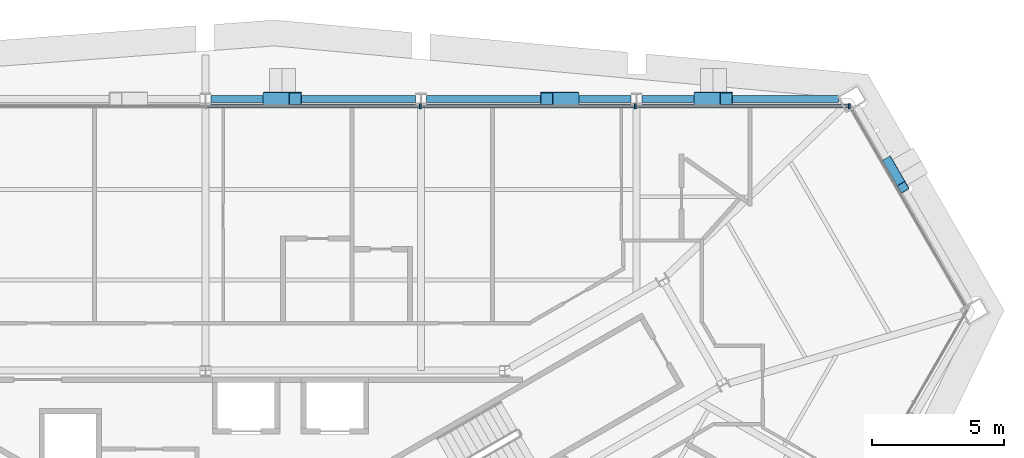
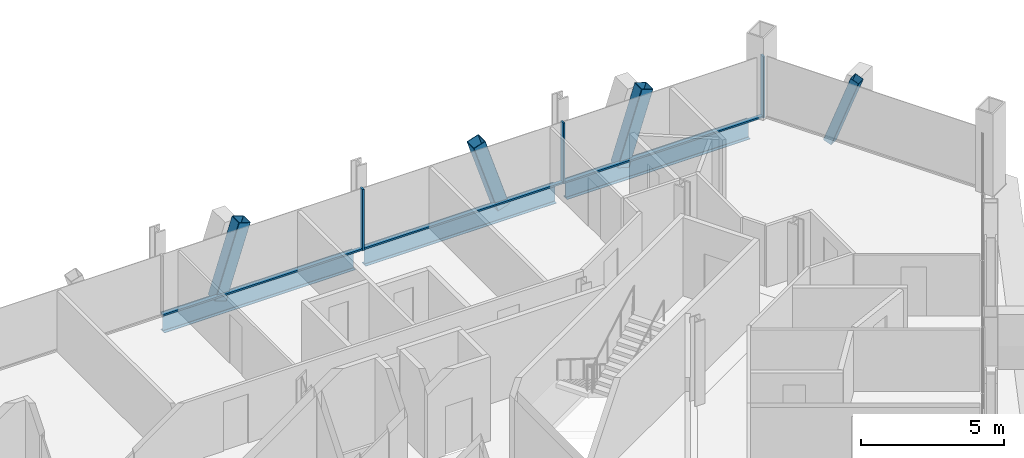
# One storey, part 11 of 19: 10 members, 3 beams, 1 element without a shape of its own.
"""IFC4 building model written with IfcOpenShell, lengths in metres."""

import ifcopenshell
import ifcopenshell.guid

model = None  # the IFC model being written
_history = None  # IfcOwnerHistory: only IFC2X3 demands one
_inside = {}  # id of a spatial element -> (the spatial element, [elements in it])
_under = {}  # id of a project, library or spatial element -> (it, [spatial elements below it])
_declared = {}  # id of a project -> (the project, [libraries it declares])
_typed = {}  # id of a type object -> (the type object, [elements of that type])
_made_of = {}  # id of a material, layer set ... -> (it, [elements and type objects made of it])


def new_model(schema):
    """Start an empty IFC model of exactly this schema.

    Asked for "IFC4X3", IfcOpenShell would pick the latest addendum, in which some entities
    have other attributes; the version numbers below select the first issue.
    IFC2X3 requires an IfcOwnerHistory on every rooted entity: one is made here for all.
    """
    global model, _history
    if schema == "IFC4X3":
        model = ifcopenshell.file(schema_version=(4, 3, 0, 0))
    else:
        model = ifcopenshell.file(schema=schema)
    _inside.clear()
    _under.clear()
    _declared.clear()
    _typed.clear()
    _made_of.clear()
    _history = None
    if model.schema == "IFC2X3":
        org = make("IfcOrganization", Name="unknown")
        user = make(
            "IfcPersonAndOrganization",
            ThePerson=make("IfcPerson", FamilyName="unknown"),
            TheOrganization=org,
        )
        app = make(
            "IfcApplication",
            ApplicationDeveloper=org,
            Version="unknown",
            ApplicationFullName="unknown",
            ApplicationIdentifier="unknown",
        )
        _history = make(
            "IfcOwnerHistory",
            OwningUser=user,
            OwningApplication=app,
            ChangeAction="ADDED",
            CreationDate=0,
        )
    return model


def make(cls, **values):
    """One entity of the class cls with the attributes given. An attribute that is None is left unset."""
    return model.create_entity(
        cls, **{name: value for name, value in values.items() if value is not None}
    )


def rooted(cls, **values):
    """An entity with a GlobalId (a new one), such as an element, a storey or a relation."""
    return make(cls, GlobalId=ifcopenshell.guid.new(), OwnerHistory=_history, **values)


def si_unit(unit_type, name, prefix=None):
    """IfcSIUnit, for example si_unit("LENGTHUNIT", "METRE", prefix="MILLI")."""
    return make("IfcSIUnit", UnitType=unit_type, Prefix=prefix, Name=name)


def assignment(units):
    """IfcUnitAssignment: the units of a project."""
    return None if units is None else make("IfcUnitAssignment", Units=units)


def point(xyz):
    """IfcCartesianPoint."""
    return None if xyz is None else make("IfcCartesianPoint", Coordinates=xyz)


def direction(xyz):
    """IfcDirection."""
    return None if xyz is None else make("IfcDirection", DirectionRatios=xyz)


def frame(location, z_axis=None, x_axis=None):
    """IfcAxis2Placement3D, a coordinate frame: its origin and axes. An axis left out is left unset."""
    return make(
        "IfcAxis2Placement3D",
        Location=point(location),
        Axis=direction(z_axis),
        RefDirection=direction(x_axis),
    )


def frame_2d(location, x_axis=None):
    """IfcAxis2Placement2D, a coordinate frame in the plane: its origin and x axis."""
    return make(
        "IfcAxis2Placement2D", Location=point(location), RefDirection=direction(x_axis)
    )


def origin():
    """The frame at (0, 0, 0) with its axes left unset."""
    return frame((0.0, 0.0, 0.0))


def origin_2d():
    """The frame at (0, 0) in the plane with its x axis left unset."""
    return frame_2d((0.0, 0.0))


def place(relative_to, where):
    """IfcLocalPlacement: puts the frame where relative to a parent placement (None: the world)."""
    return make(
        "IfcLocalPlacement", PlacementRelTo=relative_to, RelativePlacement=where
    )


def context(
    kind, dimensions, precision=None, world=None, true_north=None, identifier=None
):
    """IfcGeometricRepresentationContext, for example the 3D "Model" context."""
    return make(
        "IfcGeometricRepresentationContext",
        ContextIdentifier=identifier,
        ContextType=kind,
        CoordinateSpaceDimension=dimensions,
        Precision=precision,
        WorldCoordinateSystem=world,
        TrueNorth=true_north,
    )


def subcontext(parent, identifier, kind, view, scale=None):
    """IfcGeometricRepresentationSubContext, for example "Body" below "Model"."""
    return make(
        "IfcGeometricRepresentationSubContext",
        ContextIdentifier=identifier,
        ContextType=kind,
        ParentContext=parent,
        TargetScale=scale,
        TargetView=view,
    )


def project(units=None, contexts=None):
    """IfcProject with its units and contexts."""
    return rooted(
        "IfcProject",
        Name="project",
        RepresentationContexts=contexts,
        UnitsInContext=assignment(units),
    )


def spatial(cls, under=None, at=None, **own):
    """A site, building, storey or space (cls), placed at a placement, below another one or the project."""
    s = rooted(cls, ObjectPlacement=at, **own)
    if under is not None:
        _under.setdefault(under.id(), (under, []))[1].append(s)
    return s


def profile(cls, at=None, kind="AREA", **sizes):
    """A parametric profile (cls). Its sizes go by their IFC names, for example OverallWidth=200.0."""
    return make(cls, ProfileType=kind, Position=at, **sizes)


def rectangle(**sizes):
    """IfcRectangleProfileDef."""
    return profile("IfcRectangleProfileDef", **sizes)


def hollow_rectangle(**sizes):
    """IfcRectangleHollowProfileDef."""
    return profile("IfcRectangleHollowProfileDef", **sizes)


def i_section(**sizes):
    """IfcIShapeProfileDef."""
    return profile("IfcIShapeProfileDef", **sizes)


def extrude(swept, where, along, depth):
    """IfcExtrudedAreaSolid: the profile swept, set in the frame where, extruded along a direction by depth."""
    return make(
        "IfcExtrudedAreaSolid",
        SweptArea=swept,
        Position=where,
        ExtrudedDirection=direction(along),
        Depth=depth,
    )


def shape(context_of_items, identifier, shape_type, items):
    """IfcShapeRepresentation: the items that make up one representation, for example the "Body"."""
    return make(
        "IfcShapeRepresentation",
        ContextOfItems=context_of_items,
        RepresentationIdentifier=identifier,
        RepresentationType=shape_type,
        Items=items,
    )


def material(Name=None, Category=None):
    """IfcMaterial."""
    return make("IfcMaterial", Name=Name, Category=Category)


def material_profile(
    of_material, cross_section, Name=None, Category=None, Priority=None
):
    """IfcMaterialProfile: a cross section and its material."""
    return make(
        "IfcMaterialProfile",
        Name=Name,
        Material=of_material,
        Profile=cross_section,
        Priority=Priority,
        Category=Category,
    )


def profile_set(profiles, Name=None, composite=None):
    """IfcMaterialProfileSet."""
    return make(
        "IfcMaterialProfileSet",
        Name=Name,
        MaterialProfiles=profiles,
        CompositeProfile=composite,
    )


def made_of(thing, what):
    """Note that an element or type object is made of a material, layer set ...; save() writes the relation."""
    if what is not None:
        _made_of.setdefault(what.id(), (what, []))[1].append(thing)
    return thing


def type_object(cls, material=None, **own):
    """A type object (cls), such as IfcWallType, which elements share."""
    return made_of(rooted(cls, **own), material)


def element(
    cls,
    number,
    at=None,
    inside=None,
    cuts=None,
    type_object=None,
    material=None,
    context=None,
    identifier="Body",
    shape_type=None,
    held_by="IfcProductDefinitionShape",
    body=None,
    shapes=None,
    **own,
):
    """One element of the class cls, such as IfcWall. Its Tag is "e" and its number.

    at: its placement. inside: the storey or other place that contains it. cuts: it is an
    opening in that element (IfcRelVoidsElement). A single representation is given by context,
    identifier, shape_type and body (its items); several are given by shapes. held_by: the class
    of the entity that holds the representations. save() writes the other relations.
    """
    e = rooted(cls, Tag="e%d" % number, ObjectPlacement=at, **own)
    if body is not None:
        shapes = [shape(context, identifier, shape_type, body)]
    if shapes is not None:
        e.Representation = make(held_by, Representations=shapes)
    if inside is not None:
        _inside.setdefault(inside.id(), (inside, []))[1].append(e)
    if cuts is not None:
        rooted(
            "IfcRelVoidsElement", RelatingBuildingElement=cuts, RelatedOpeningElement=e
        )
    if type_object is not None:
        _typed.setdefault(type_object.id(), (type_object, []))[1].append(e)
    return made_of(e, material)


def aggregate(whole, parts):
    """IfcRelAggregates: a whole, such as a stair, and the parts it consists of."""
    return rooted("IfcRelAggregates", RelatingObject=whole, RelatedObjects=parts)


def save(model, path):
    """Write the relations noted so far, then the file.

    IfcRelAggregates (storeys below a building ...), IfcRelContainedInSpatialStructure (elements
    in a storey), IfcRelDefinesByType, IfcRelAssociatesMaterial and IfcRelDeclares: one each for
    every whole, place, type object, material and project.
    """
    for whole, parts in _under.values():
        aggregate(whole, parts)
    for where, things in _inside.values():
        rooted(
            "IfcRelContainedInSpatialStructure",
            RelatedElements=things,
            RelatingStructure=where,
        )
    for kind, things in _typed.values():
        rooted("IfcRelDefinesByType", RelatedObjects=things, RelatingType=kind)
    for what, things in _made_of.values():
        rooted("IfcRelAssociatesMaterial", RelatedObjects=things, RelatingMaterial=what)
    for by, libraries in _declared.values():
        rooted("IfcRelDeclares", RelatingContext=by, RelatedDefinitions=libraries)
    model.write(path)


model = new_model("IFC4")

# Units and contexts
model_context = context("Model", 3, precision=1e-05, world=origin(), true_north=direction((0.0, 1.0)))
body_context = subcontext(model_context, "Body", "Model", "MODEL_VIEW")
ifc_project = project(units=[si_unit("LENGTHUNIT", "METRE"), si_unit("AREAUNIT", "SQUARE_METRE"), si_unit("VOLUMEUNIT", "CUBIC_METRE"), si_unit("PLANEANGLEUNIT", "RADIAN"), si_unit("MASSUNIT", "GRAM", prefix="KILO")], contexts=[model_context])

# Site, building, storey
site_placement = place(None, origin())
site = spatial("IfcSite", under=ifc_project, at=site_placement, CompositionType="ELEMENT")
building_placement = place(site_placement, origin())
building = spatial("IfcBuilding", under=site, at=building_placement, Name="Verrane Prism Tower", CompositionType="ELEMENT")
storey_placement = place(building_placement, frame((0.0, 0.0, 125.199951171875)))
storey = spatial("IfcBuildingStorey", under=building, at=storey_placement, Name="L30", CompositionType="ELEMENT", Elevation=125.199951171875)

# Members
ifc_material_1 = material(Name="Steel A500 Grade C", Category="steel")
ifc_material_profile_1 = material_profile(ifc_material_1, hollow_rectangle(XDim=0.355712890625, YDim=0.355712890625, WallThickness=0.0126953125, InnerFilletRadius=0.00634765625, OuterFilletRadius=0.01904296875, at=origin_2d()), Name="HSS14x14x1/2")
ifc_profile_set_1 = profile_set([ifc_material_profile_1], Name="Steel A500 Grade C")
member_type_1 = type_object("IfcMemberType", Name="Chamfer brace HSS14x14x1/2", PredefinedType="BRACE", material=ifc_profile_set_1)
member_1_placement = place(storey_placement, frame((25.8505859375, 17.09765625, -0.2451171875), z_axis=(0.172779760726, -0.299408636136, 0.938350479773), x_axis=(0.866130474465, 0.499817968067, 0.0)))
element("IfcMember", 1, at=member_1_placement, inside=storey, type_object=member_type_1, Name="Chamfer brace NE0 L30", PredefinedType="BRACE", context=body_context, shape_type="SweptSolid", body=[
    extrude(hollow_rectangle(XDim=0.355712890625, YDim=0.355712890625, WallThickness=0.0126953125, InnerFilletRadius=0.00634765625, OuterFilletRadius=0.01904296875, at=origin_2d()), origin(), (0.0, 0.0, 1.0), 3.200439453125),
])
ifc_material_2 = material(Name="Steel A1085 Grade A", Category="steel")
ifc_material_profile_2 = material_profile(ifc_material_2, hollow_rectangle(XDim=0.508056640625, YDim=0.508056640625, WallThickness=0.025390625, InnerFilletRadius=0.0126953125, OuterFilletRadius=0.0380859375, at=origin_2d()), Name="HSS20x20x1")
ifc_profile_set_2 = profile_set([ifc_material_profile_2], Name="Steel A1085 Grade A")
member_type_2 = type_object("IfcMemberType", Name="Facade brace HSS20x20x1", PredefinedType="BRACE", material=ifc_profile_set_2)
member_2_placement = place(storey_placement, frame((18.7373046875, 19.489990234375, -0.242431640625), z_axis=(0.308015587042, 0.0, 0.95138131059), x_axis=(0.0, 1.0, 0.0)))
element("IfcMember", 2, at=member_2_placement, inside=storey, type_object=member_type_2, Name="Facade brace N0 L30", PredefinedType="BRACE", context=body_context, shape_type="SweptSolid", body=[
    extrude(hollow_rectangle(XDim=0.508056640625, YDim=0.508056640625, WallThickness=0.025390625, InnerFilletRadius=0.0126953125, OuterFilletRadius=0.0380859375, at=origin_2d()), origin(), (0.0, 0.0, 1.0), 3.161865234375),
])
member_3_placement = place(storey_placement, frame((13.8857421875, 19.489990234375, -0.242431640625), z_axis=(-0.307735985321, 0.0, 0.951471787989), x_axis=(0.0, -1.0, 0.0)))
element("IfcMember", 3, at=member_3_placement, inside=storey, type_object=member_type_2, Name="Facade brace N1 L30", PredefinedType="BRACE", context=body_context, shape_type="SweptSolid", body=[
    extrude(hollow_rectangle(XDim=0.508056640625, YDim=0.508056640625, WallThickness=0.025390625, InnerFilletRadius=0.0126953125, OuterFilletRadius=0.0380859375, at=origin_2d()), origin(), (0.0, 0.0, 1.0), 3.161376953125),
])
member_4_placement = place(storey_placement, frame((2.42724609375, 19.489990234375, -0.242431640625), z_axis=(0.308085475007, 0.0, 0.951358681092), x_axis=(0.0, 1.0, 0.0)))
element("IfcMember", 4, at=member_4_placement, inside=storey, type_object=member_type_2, Name="Facade brace N2 L30", PredefinedType="BRACE", context=body_context, shape_type="SweptSolid", body=[
    extrude(hollow_rectangle(XDim=0.508056640625, YDim=0.508056640625, WallThickness=0.025390625, InnerFilletRadius=0.0126953125, OuterFilletRadius=0.0380859375, at=origin_2d()), origin(), (0.0, 0.0, 1.0), 3.161865234375),
])

# Curtain wall, members
ifc_material_3 = material(Name="Aluminium framed insulated glazing", Category="aluminium")
curtain_wall_type = type_object("IfcCurtainWallType", Name="Curtain wall CW-A 8400 module", PredefinedType="NOTDEFINED", material=ifc_material_3)
curtain_wall_placement = place(storey_placement, origin())
curtain_wall = element("IfcCurtainWall", 5, at=curtain_wall_placement, inside=storey, type_object=curtain_wall_type, Name="Glazed curtain wall north face L30", PredefinedType="NOTDEFINED")
ifc_material_4 = material(Name="Aluminium alloy 6063-T6", Category="aluminium")
ifc_material_profile_3 = material_profile(ifc_material_4, rectangle(XDim=0.199951171875, YDim=0.070068359375, at=origin_2d()), Name="Mullion 70x200 aluminium")
ifc_profile_set_3 = profile_set([ifc_material_profile_3], Name="Aluminium alloy 6063-T6")
member_type_3 = type_object("IfcMemberType", Name="Mullion 70x200 aluminium", PredefinedType="MULLION", material=ifc_profile_set_3)
member_5_placement = place(storey_placement, frame((24.363525390625, 19.2109375, 0.0), z_axis=(0.0, 0.0, 1.0), x_axis=(0.0, -1.0, 0.0)))
member_5 = element("IfcMember", 6, at=member_5_placement, type_object=member_type_3, Name="CW29.2 mullion 1", PredefinedType="MULLION", context=body_context, shape_type="SweptSolid", body=[
    extrude(rectangle(XDim=0.199951171875, YDim=0.070068359375, at=origin_2d()), origin(), (0.0, 0.0, 1.0), 2.613037109375),
])
member_6_placement = place(storey_placement, frame((16.265625, 19.2109375, 0.0), z_axis=(0.0, 0.0, 1.0), x_axis=(0.0, -1.0, 0.0)))
member_6 = element("IfcMember", 7, at=member_6_placement, type_object=member_type_3, Name="CW29.2 mullion 2", PredefinedType="MULLION", context=body_context, shape_type="SweptSolid", body=[
    extrude(rectangle(XDim=0.199951171875, YDim=0.070068359375, at=origin_2d()), origin(), (0.0, 0.0, 1.0), 2.613037109375),
])
member_7_placement = place(storey_placement, frame((8.1328125, 19.2109375, 0.0), z_axis=(0.0, 0.0, 1.0), x_axis=(0.0, -1.0, 0.0)))
member_7 = element("IfcMember", 8, at=member_7_placement, type_object=member_type_3, Name="CW29.2 mullion 3", PredefinedType="MULLION", context=body_context, shape_type="SweptSolid", body=[
    extrude(rectangle(XDim=0.199951171875, YDim=0.070068359375, at=origin_2d()), origin(), (0.0, 0.0, 1.0), 2.613037109375),
])

# Beams
ifc_material_5 = material(Name="Steel A992", Category="steel")
ifc_material_profile_4 = material_profile(ifc_material_5, i_section(OverallWidth=0.2666015625, OverallDepth=0.7568359375, WebThickness=0.013916015625, FlangeThickness=0.019287109375, FilletRadius=0.0166015625, at=origin_2d()), Name="W30x108")
ifc_profile_set_4 = profile_set([ifc_material_profile_4], Name="Steel A992")
beam_type = type_object("IfcBeamType", Name="Spandrel beam W30x108", PredefinedType="SPANDREL", material=ifc_profile_set_4)
beam_1_placement = place(storey_placement, frame((23.950439453125, 19.489990234375, -0.538330078125), z_axis=(-1.0, 0.0, 0.0), x_axis=(0.0, -1.0, 0.0)))
element("IfcBeam", 9, at=beam_1_placement, inside=storey, type_object=beam_type, Name="Spandrel beam L30", PredefinedType="SPANDREL", context=body_context, shape_type="SweptSolid", body=[
    extrude(i_section(OverallWidth=0.2666015625, OverallDepth=0.7568359375, WebThickness=0.013916015625, FlangeThickness=0.019287109375, FilletRadius=0.0166015625, at=origin_2d()), origin(), (0.0, 0.0, 1.0), 7.430908203125),
])
beam_2_placement = place(storey_placement, frame((16.100341796875, 19.489990234375, -0.538330078125), z_axis=(-1.0, 0.0, 0.0), x_axis=(0.0, -1.0, 0.0)))
element("IfcBeam", 10, at=beam_2_placement, inside=storey, type_object=beam_type, Name="Spandrel beam L30", PredefinedType="SPANDREL", context=body_context, shape_type="SweptSolid", body=[
    extrude(i_section(OverallWidth=0.2666015625, OverallDepth=0.7568359375, WebThickness=0.013916015625, FlangeThickness=0.019287109375, FilletRadius=0.0166015625, at=origin_2d()), origin(), (0.0, 0.0, 1.0), 7.730712890625),
])
beam_3_placement = place(storey_placement, frame((7.950439453125, 19.489990234375, -0.538330078125), z_axis=(-1.0, 0.0, 0.0), x_axis=(0.0, -1.0, 0.0)))
element("IfcBeam", 11, at=beam_3_placement, inside=storey, type_object=beam_type, Name="Spandrel beam L30", PredefinedType="SPANDREL", context=body_context, shape_type="SweptSolid", body=[
    extrude(i_section(OverallWidth=0.2666015625, OverallDepth=0.7568359375, WebThickness=0.013916015625, FlangeThickness=0.019287109375, FilletRadius=0.0166015625, at=origin_2d()), origin(), (0.0, 0.0, 1.0), 7.740966796875),
])

# Member
ifc_material_6 = material(Name="Aluminium alloy 6063-T6", Category="aluminium")
ifc_material_profile_5 = material_profile(ifc_material_6, rectangle(XDim=0.14990234375, YDim=0.070068359375, at=origin_2d()), Name="Transom 70x150 aluminium")
ifc_profile_set_5 = profile_set([ifc_material_profile_5], Name="Aluminium alloy 6063-T6")
member_type_4 = type_object("IfcMemberType", Name="Transom 70x150 aluminium", PredefinedType="USERDEFINED", material=ifc_profile_set_5)
member_8_placement = place(storey_placement, frame((24.32861328125, 19.2109375, 0.03515625), z_axis=(-1.0, 0.0, 0.0), x_axis=(0.0, -1.0, 0.0)))
member_8 = element("IfcMember", 12, at=member_8_placement, type_object=member_type_4, Name="CW29.2 transom 1", ObjectType="TRANSOM", PredefinedType="USERDEFINED", context=body_context, shape_type="SweptSolid", body=[
    extrude(rectangle(XDim=0.14990234375, YDim=0.070068359375, at=origin_2d()), origin(), (0.0, 0.0, 1.0), 8.02783203125),
])

member_9_placement = place(storey_placement, frame((16.230712890625, 19.2109375, 0.03515625), z_axis=(-1.0, 0.0, 0.0), x_axis=(0.0, -1.0, 0.0)))
member_9 = element("IfcMember", 13, at=member_9_placement, type_object=member_type_4, Name="CW29.2 transom 2", ObjectType="TRANSOM", PredefinedType="USERDEFINED", context=body_context, shape_type="SweptSolid", body=[
    extrude(rectangle(XDim=0.14990234375, YDim=0.070068359375, at=origin_2d()), origin(), (0.0, 0.0, 1.0), 8.062744140625),
])

member_10_placement = place(storey_placement, frame((8.097900390625, 19.2109375, 0.03515625), z_axis=(-1.0, 0.0, 0.0), x_axis=(0.0, -1.0, 0.0)))
member_10 = element("IfcMember", 14, at=member_10_placement, type_object=member_type_4, Name="CW29.2 transom 3", ObjectType="TRANSOM", PredefinedType="USERDEFINED", context=body_context, shape_type="SweptSolid", body=[
    extrude(rectangle(XDim=0.14990234375, YDim=0.070068359375, at=origin_2d()), origin(), (0.0, 0.0, 1.0), 8.06298828125),
])

aggregate(curtain_wall, [member_5, member_6, member_7, member_8, member_9, member_10])

save(model, "model.ifc")
